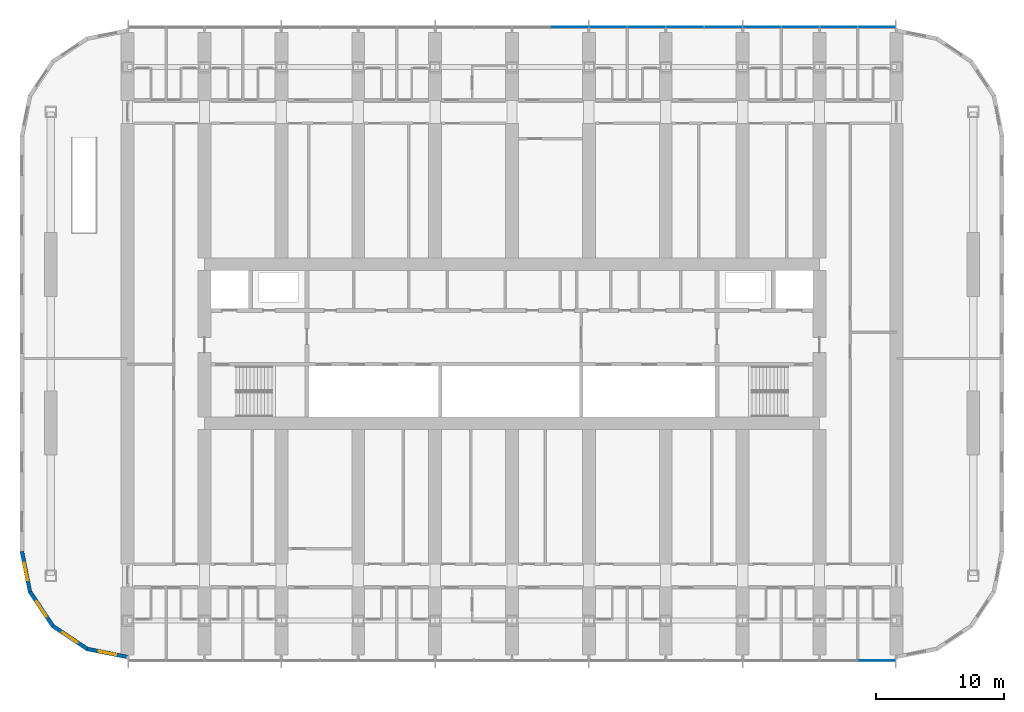
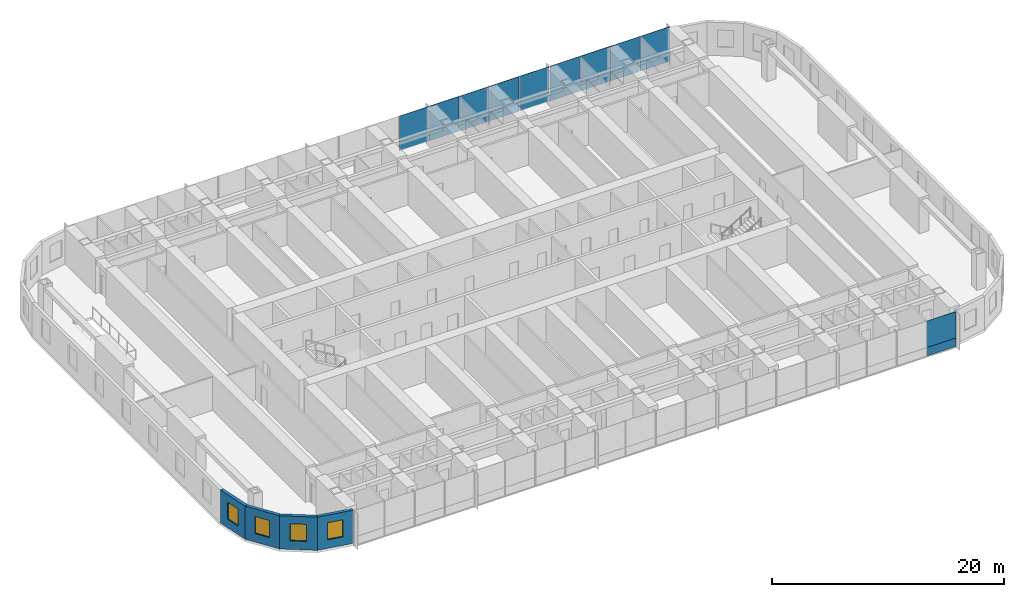
# One storey, part 9 of 24: 20 plates, 4 walls, 4 windows, 4 openings, 2 elements without a shape of their own.
"""IFC4 building model written with IfcOpenShell, lengths in metres."""

from ifc_helpers import new_model, si_unit, direction, frame, frame_2d, origin, origin_2d, place, context, subcontext, project, spatial, polyline, rectangle, outline, extrude, material, layer, layer_set, type_object, element, fill, aggregate, save


model = new_model("IFC4")

# Units and contexts
model_context = context("Model", 3, precision=1e-05, world=origin(), true_north=direction((0.0, 1.0)))
body_context = subcontext(model_context, "Body", "Model", "MODEL_VIEW")
ifc_project = project(units=[si_unit("LENGTHUNIT", "METRE"), si_unit("AREAUNIT", "SQUARE_METRE"), si_unit("VOLUMEUNIT", "CUBIC_METRE"), si_unit("PLANEANGLEUNIT", "RADIAN"), si_unit("MASSUNIT", "GRAM", prefix="KILO")], contexts=[model_context])

# Site, building, storey
site_placement = place(None, origin())
site = spatial("IfcSite", under=ifc_project, at=site_placement, CompositionType="ELEMENT")
building_placement = place(site_placement, origin())
building = spatial("IfcBuilding", under=site, at=building_placement, Name="Orbita Commons", CompositionType="ELEMENT")
storey_placement = place(building_placement, frame((0.0, 0.0, 27.699951171875)))
storey = spatial("IfcBuildingStorey", under=building, at=storey_placement, Name="L06", CompositionType="ELEMENT", Elevation=27.699951171875)

# Curtain wall, plate
ifc_material_1 = material(Name="Anodised aluminium frame, pale silver", Category="aluminium")
curtain_wall_type = type_object("IfcCurtainWallType", Name="Unitised curtain wall CW-T, vision and spandrel", PredefinedType="NOTDEFINED", material=ifc_material_1)
curtain_wall_1_placement = place(storey_placement, origin())
curtain_wall_1 = element("IfcCurtainWall", 1, at=curtain_wall_1_placement, inside=storey, type_object=curtain_wall_type, Name="Curtain wall south L06", PredefinedType="NOTDEFINED")
ifc_material_2 = material(Name="Anodised aluminium sheet on mineral wool", Category="aluminium")
ifc_layer_1 = layer(ifc_material_2, 0.050048828125)
ifc_layer_set_1 = layer_set([ifc_layer_1], Name="Anodised aluminium sheet on mineral wool")
plate_type_1 = type_object("IfcPlateType", Name="Spandrel panel, pale aluminium over insulation 50", PredefinedType="CURTAIN_PANEL", material=ifc_layer_set_1)
plate_1_placement = place(storey_placement, frame((70.47998046875, 7.2900390625, -0.14990234375), z_axis=(0.0, 0.0, 1.0), x_axis=(1.0, 0.0, 0.0)))
plate_1 = element("IfcPlate", 2, at=plate_1_placement, type_object=plate_type_1, Name="Panel 20.1 CW-L06-S", PredefinedType="CURTAIN_PANEL", context=body_context, shape_type="SweptSolid", body=[
    extrude(rectangle(XDim=2.8798828125, YDim=0.050048828125, at=origin_2d()), origin(), (0.0, 0.0, 1.0), 0.875),
])

# Curtain wall, plates
curtain_wall_2_placement = place(storey_placement, origin())
curtain_wall_2 = element("IfcCurtainWall", 3, at=curtain_wall_2_placement, inside=storey, type_object=curtain_wall_type, Name="Curtain wall north L06", PredefinedType="NOTDEFINED")
plate_2_placement = place(storey_placement, frame((70.47998046875, 56.7099609375, -0.14990234375), z_axis=(0.0, 0.0, 1.0), x_axis=(-1.0, 0.0, 0.0)))
plate_2 = element("IfcPlate", 4, at=plate_2_placement, type_object=plate_type_1, Name="Panel 1.1 CW-L06-N", PredefinedType="CURTAIN_PANEL", context=body_context, shape_type="SweptSolid", body=[
    extrude(rectangle(XDim=2.8798828125, YDim=0.050048828125, at=origin_2d()), origin(), (0.0, 0.0, 1.0), 0.875),
])
plate_3_placement = place(storey_placement, frame((67.5, 56.7099609375, -0.14990234375), z_axis=(0.0, 0.0, 1.0), x_axis=(-1.0, 0.0, 0.0)))
plate_3 = element("IfcPlate", 5, at=plate_3_placement, type_object=plate_type_1, Name="Panel 2.1 CW-L06-N", PredefinedType="CURTAIN_PANEL", context=body_context, shape_type="SweptSolid", body=[
    extrude(rectangle(XDim=2.919921875, YDim=0.050048828125, at=origin_2d()), origin(), (0.0, 0.0, 1.0), 0.875),
])
plate_4_placement = place(storey_placement, frame((64.5, 56.7099609375, -0.14990234375), z_axis=(0.0, 0.0, 1.0), x_axis=(-1.0, 0.0, 0.0)))
plate_4 = element("IfcPlate", 6, at=plate_4_placement, type_object=plate_type_1, Name="Panel 3.1 CW-L06-N", PredefinedType="CURTAIN_PANEL", context=body_context, shape_type="SweptSolid", body=[
    extrude(rectangle(XDim=2.919921875, YDim=0.050048828125, at=origin_2d()), origin(), (0.0, 0.0, 1.0), 0.875),
])
plate_5_placement = place(storey_placement, frame((61.5, 56.7099609375, -0.14990234375), z_axis=(0.0, 0.0, 1.0), x_axis=(-1.0, 0.0, 0.0)))
plate_5 = element("IfcPlate", 7, at=plate_5_placement, type_object=plate_type_1, Name="Panel 4.1 CW-L06-N", PredefinedType="CURTAIN_PANEL", context=body_context, shape_type="SweptSolid", body=[
    extrude(rectangle(XDim=2.919921875, YDim=0.050048828125, at=origin_2d()), origin(), (0.0, 0.0, 1.0), 0.875),
])
plate_6_placement = place(storey_placement, frame((58.5, 56.7099609375, -0.14990234375), z_axis=(0.0, 0.0, 1.0), x_axis=(-1.0, 0.0, 0.0)))
plate_6 = element("IfcPlate", 8, at=plate_6_placement, type_object=plate_type_1, Name="Panel 5.1 CW-L06-N", PredefinedType="CURTAIN_PANEL", context=body_context, shape_type="SweptSolid", body=[
    extrude(rectangle(XDim=2.919921875, YDim=0.050048828125, at=origin_2d()), origin(), (0.0, 0.0, 1.0), 0.875),
])
plate_7_placement = place(storey_placement, frame((55.5, 56.7099609375, -0.14990234375), z_axis=(0.0, 0.0, 1.0), x_axis=(-1.0, 0.0, 0.0)))
plate_7 = element("IfcPlate", 9, at=plate_7_placement, type_object=plate_type_1, Name="Panel 6.1 CW-L06-N", PredefinedType="CURTAIN_PANEL", context=body_context, shape_type="SweptSolid", body=[
    extrude(rectangle(XDim=2.919921875, YDim=0.050048828125, at=origin_2d()), origin(), (0.0, 0.0, 1.0), 0.875),
])
plate_8_placement = place(storey_placement, frame((52.5, 56.7099609375, -0.14990234375), z_axis=(0.0, 0.0, 1.0), x_axis=(-1.0, 0.0, 0.0)))
plate_8 = element("IfcPlate", 10, at=plate_8_placement, type_object=plate_type_1, Name="Panel 7.1 CW-L06-N", PredefinedType="CURTAIN_PANEL", context=body_context, shape_type="SweptSolid", body=[
    extrude(rectangle(XDim=2.919921875, YDim=0.050048828125, at=origin_2d()), origin(), (0.0, 0.0, 1.0), 0.875),
])
plate_9_placement = place(storey_placement, frame((49.5, 56.7099609375, -0.14990234375), z_axis=(0.0, 0.0, 1.0), x_axis=(-1.0, 0.0, 0.0)))
plate_9 = element("IfcPlate", 11, at=plate_9_placement, type_object=plate_type_1, Name="Panel 8.1 CW-L06-N", PredefinedType="CURTAIN_PANEL", context=body_context, shape_type="SweptSolid", body=[
    extrude(rectangle(XDim=2.919921875, YDim=0.050048828125, at=origin_2d()), origin(), (0.0, 0.0, 1.0), 0.875),
])
plate_10_placement = place(storey_placement, frame((46.5, 56.7099609375, -0.14990234375), z_axis=(0.0, 0.0, 1.0), x_axis=(-1.0, 0.0, 0.0)))
plate_10 = element("IfcPlate", 12, at=plate_10_placement, type_object=plate_type_1, Name="Panel 9.1 CW-L06-N", PredefinedType="CURTAIN_PANEL", context=body_context, shape_type="SweptSolid", body=[
    extrude(rectangle(XDim=2.919921875, YDim=0.050048828125, at=origin_2d()), origin(), (0.0, 0.0, 1.0), 0.875),
])

# Plate
ifc_material_3 = material(Name="Clear double glazing", Category="glass")
ifc_layer_2 = layer(ifc_material_3, 0.031982421875)
ifc_layer_set_2 = layer_set([ifc_layer_2], Name="Clear double glazing")
plate_type_2 = type_object("IfcPlateType", Name="Vision panel, clear double glazing 32", PredefinedType="CURTAIN_PANEL", material=ifc_layer_set_2)
plate_11_placement = place(storey_placement, frame((70.47998046875, 7.2900390625, 0.72509765625), z_axis=(0.0, 0.0, 1.0), x_axis=(1.0, 0.0, 0.0)))
plate_11 = element("IfcPlate", 13, at=plate_11_placement, type_object=plate_type_2, Name="Panel 20.2 CW-L06-S", PredefinedType="CURTAIN_PANEL", context=body_context, shape_type="SweptSolid", body=[
    extrude(rectangle(XDim=2.8798828125, YDim=0.031982421875, at=origin_2d()), origin(), (0.0, 0.0, 1.0), 2.77490234375),
])

aggregate(curtain_wall_1, [plate_1, plate_11])

plate_12_placement = place(storey_placement, frame((70.47998046875, 56.7099609375, 0.72509765625), z_axis=(0.0, 0.0, 1.0), x_axis=(-1.0, 0.0, 0.0)))
plate_12 = element("IfcPlate", 14, at=plate_12_placement, type_object=plate_type_2, Name="Panel 1.2 CW-L06-N", PredefinedType="CURTAIN_PANEL", context=body_context, shape_type="SweptSolid", body=[
    extrude(rectangle(XDim=2.8798828125, YDim=0.031982421875, at=origin_2d()), origin(), (0.0, 0.0, 1.0), 2.77490234375),
])

plate_13_placement = place(storey_placement, frame((67.5, 56.7099609375, 0.72509765625), z_axis=(0.0, 0.0, 1.0), x_axis=(-1.0, 0.0, 0.0)))
plate_13 = element("IfcPlate", 15, at=plate_13_placement, type_object=plate_type_2, Name="Panel 2.2 CW-L06-N", PredefinedType="CURTAIN_PANEL", context=body_context, shape_type="SweptSolid", body=[
    extrude(rectangle(XDim=2.919921875, YDim=0.031982421875, at=origin_2d()), origin(), (0.0, 0.0, 1.0), 2.77490234375),
])

plate_14_placement = place(storey_placement, frame((64.5, 56.7099609375, 0.72509765625), z_axis=(0.0, 0.0, 1.0), x_axis=(-1.0, 0.0, 0.0)))
plate_14 = element("IfcPlate", 16, at=plate_14_placement, type_object=plate_type_2, Name="Panel 3.2 CW-L06-N", PredefinedType="CURTAIN_PANEL", context=body_context, shape_type="SweptSolid", body=[
    extrude(rectangle(XDim=2.919921875, YDim=0.031982421875, at=origin_2d()), origin(), (0.0, 0.0, 1.0), 2.77490234375),
])

plate_15_placement = place(storey_placement, frame((61.5, 56.7099609375, 0.72509765625), z_axis=(0.0, 0.0, 1.0), x_axis=(-1.0, 0.0, 0.0)))
plate_15 = element("IfcPlate", 17, at=plate_15_placement, type_object=plate_type_2, Name="Panel 4.2 CW-L06-N", PredefinedType="CURTAIN_PANEL", context=body_context, shape_type="SweptSolid", body=[
    extrude(rectangle(XDim=2.919921875, YDim=0.031982421875, at=origin_2d()), origin(), (0.0, 0.0, 1.0), 2.77490234375),
])

plate_16_placement = place(storey_placement, frame((58.5, 56.7099609375, 0.72509765625), z_axis=(0.0, 0.0, 1.0), x_axis=(-1.0, 0.0, 0.0)))
plate_16 = element("IfcPlate", 18, at=plate_16_placement, type_object=plate_type_2, Name="Panel 5.2 CW-L06-N", PredefinedType="CURTAIN_PANEL", context=body_context, shape_type="SweptSolid", body=[
    extrude(rectangle(XDim=2.919921875, YDim=0.031982421875, at=origin_2d()), origin(), (0.0, 0.0, 1.0), 2.77490234375),
])

plate_17_placement = place(storey_placement, frame((55.5, 56.7099609375, 0.72509765625), z_axis=(0.0, 0.0, 1.0), x_axis=(-1.0, 0.0, 0.0)))
plate_17 = element("IfcPlate", 19, at=plate_17_placement, type_object=plate_type_2, Name="Panel 6.2 CW-L06-N", PredefinedType="CURTAIN_PANEL", context=body_context, shape_type="SweptSolid", body=[
    extrude(rectangle(XDim=2.919921875, YDim=0.031982421875, at=origin_2d()), origin(), (0.0, 0.0, 1.0), 2.77490234375),
])

plate_18_placement = place(storey_placement, frame((52.5, 56.7099609375, 0.72509765625), z_axis=(0.0, 0.0, 1.0), x_axis=(-1.0, 0.0, 0.0)))
plate_18 = element("IfcPlate", 20, at=plate_18_placement, type_object=plate_type_2, Name="Panel 7.2 CW-L06-N", PredefinedType="CURTAIN_PANEL", context=body_context, shape_type="SweptSolid", body=[
    extrude(rectangle(XDim=2.919921875, YDim=0.031982421875, at=origin_2d()), origin(), (0.0, 0.0, 1.0), 2.77490234375),
])

plate_19_placement = place(storey_placement, frame((49.5, 56.7099609375, 0.72509765625), z_axis=(0.0, 0.0, 1.0), x_axis=(-1.0, 0.0, 0.0)))
plate_19 = element("IfcPlate", 21, at=plate_19_placement, type_object=plate_type_2, Name="Panel 8.2 CW-L06-N", PredefinedType="CURTAIN_PANEL", context=body_context, shape_type="SweptSolid", body=[
    extrude(rectangle(XDim=2.919921875, YDim=0.031982421875, at=origin_2d()), origin(), (0.0, 0.0, 1.0), 2.77490234375),
])

plate_20_placement = place(storey_placement, frame((46.5, 56.7099609375, 0.72509765625), z_axis=(0.0, 0.0, 1.0), x_axis=(-1.0, 0.0, 0.0)))
plate_20 = element("IfcPlate", 22, at=plate_20_placement, type_object=plate_type_2, Name="Panel 9.2 CW-L06-N", PredefinedType="CURTAIN_PANEL", context=body_context, shape_type="SweptSolid", body=[
    extrude(rectangle(XDim=2.919921875, YDim=0.031982421875, at=origin_2d()), origin(), (0.0, 0.0, 1.0), 2.77490234375),
])

aggregate(curtain_wall_2, [plate_2, plate_12, plate_3, plate_13, plate_4, plate_14, plate_5, plate_15, plate_6, plate_16, plate_7, plate_17, plate_8, plate_18, plate_9, plate_19, plate_10, plate_20])

# Wall, opening, window
ifc_material_4 = material(Name="Precast concrete C40/50, white board-marked finish", Category="concrete")
ifc_layer_3 = layer(ifc_material_4, 0.300048828125)
ifc_layer_set_3 = layer_set([ifc_layer_3], Name="Precast concrete C40/50, white board-marked finish")
wall_type = type_object("IfcWallType", Name="Precast concrete end shield 300", PredefinedType="SOLIDWALL", material=ifc_layer_set_3)
wall_1_placement = place(storey_placement, frame((3.75, 15.800048828125, 0.0), z_axis=(0.0, 0.0, 1.0), x_axis=(0.195065901187, -0.980790137692, 0.0)))
wall_1 = element("IfcWall", 23, at=wall_1_placement, inside=storey, type_object=wall_type, Name="End shield SW chord 1 L06", PredefinedType="SOLIDWALL", context=body_context, shape_type="SweptSolid", body=[
    extrude(outline(polyline([(-0.014892578125, -0.14990234375), (3.248779296875, -0.14990234375), (3.189208984375, 0.14990234375), (0.014892578125, 0.14990234375), (-0.014892578125, -0.14990234375)])), origin(), (0.0, 0.0, 1.0), 3.5),
])
opening_1_placement = place(wall_1_placement, frame((0.909423828125, 0.0, 0.89990234375)))
opening_1 = element("IfcOpeningElement", 24, at=opening_1_placement, cuts=wall_1, Name="Opening W02", PredefinedType="OPENING", context=body_context, shape_type="SweptSolid", body=[
    extrude(rectangle(XDim=1.39990234375, YDim=1.800048828125, at=frame_2d((0.699951171875, 0.89990234375))), frame((0.0, 0.159912109375, 0.0), z_axis=(0.0, -1.0, 0.0), x_axis=(1.0, 0.0, 0.0)), (0.0, 0.0, 1.0), 0.320068359375),
])
ifc_material_5 = material(Name="Aluminium frame, clear double glazing", Category="aluminium")
window_type = type_object("IfcWindowType", Name="Deep-set window 1400x1800", PartitioningType="SINGLE_PANEL", PredefinedType="WINDOW", material=ifc_material_5)
window_1_placement = place(opening_1_placement, origin())
window_1 = element("IfcWindow", 25, at=window_1_placement, inside=storey, type_object=window_type, Name="Window L06-SW0", OverallHeight=1.800048828125, OverallWidth=1.39990234375, PartitioningType="SINGLE_PANEL", PredefinedType="WINDOW", context=body_context, shape_type="SweptSolid", body=[
    extrude(rectangle(XDim=1.39990234375, YDim=1.800048828125, at=frame_2d((0.699951171875, 0.89990234375))), frame((0.0, 0.030029296875, 0.0), z_axis=(0.0, -1.0, 0.0), x_axis=(1.0, 0.0, 0.0)), (0.0, 0.0, 1.0), 0.06005859375),
])
fill(opening_1, window_1)

wall_2_placement = place(storey_placement, frame((4.3779296875, 12.642822265625, 0.0), z_axis=(0.0, 0.0, 1.0), x_axis=(0.555609954424, -0.831443069936, 0.0)))
wall_2 = element("IfcWall", 26, at=wall_2_placement, inside=storey, type_object=wall_type, Name="End shield SW chord 2 L06", PredefinedType="SOLIDWALL", context=body_context, shape_type="SweptSolid", body=[
    extrude(outline(polyline([(-0.02978515625, -0.14990234375), (3.2490234375, -0.14990234375), (3.189453125, 0.14990234375), (0.02978515625, 0.14990234375), (-0.02978515625, -0.14990234375)])), origin(), (0.0, 0.0, 1.0), 3.5),
])
opening_2_placement = place(wall_2_placement, frame((0.909423828125, 0.0, 0.89990234375)))
opening_2 = element("IfcOpeningElement", 27, at=opening_2_placement, cuts=wall_2, Name="Opening W02", PredefinedType="OPENING", context=body_context, shape_type="SweptSolid", body=[
    extrude(rectangle(XDim=1.39990234375, YDim=1.800048828125, at=frame_2d((0.699951171875, 0.89990234375))), frame((0.0, 0.159912109375, 0.0), z_axis=(0.0, -1.0, 0.0), x_axis=(1.0, 0.0, 0.0)), (0.0, 0.0, 1.0), 0.320068359375),
])
window_2_placement = place(opening_2_placement, origin())
window_2 = element("IfcWindow", 28, at=window_2_placement, inside=storey, type_object=window_type, Name="Window L06-SW1", OverallHeight=1.800048828125, OverallWidth=1.39990234375, PartitioningType="SINGLE_PANEL", PredefinedType="WINDOW", context=body_context, shape_type="SweptSolid", body=[
    extrude(rectangle(XDim=1.39990234375, YDim=1.800048828125, at=frame_2d((0.699951171875, 0.89990234375))), frame((0.0, 0.030029296875, 0.0), z_axis=(0.0, -1.0, 0.0), x_axis=(1.0, 0.0, 0.0)), (0.0, 0.0, 1.0), 0.06005859375),
])
fill(opening_2, window_2)

wall_3_placement = place(storey_placement, frame((6.16650390625, 9.96630859375, 0.0), z_axis=(0.0, 0.0, 1.0), x_axis=(0.831478105043, -0.555557522525, 0.0)))
wall_3 = element("IfcWall", 29, at=wall_3_placement, inside=storey, type_object=wall_type, Name="End shield SW chord 3 L06", PredefinedType="SOLIDWALL", context=body_context, shape_type="SweptSolid", body=[
    extrude(outline(polyline([(-0.02978515625, -0.14990234375), (3.248779296875, -0.14990234375), (3.189208984375, 0.14990234375), (0.02978515625, 0.14990234375), (-0.02978515625, -0.14990234375)])), origin(), (0.0, 0.0, 1.0), 3.5),
])
opening_3_placement = place(wall_3_placement, frame((0.909423828125, 0.0, 0.89990234375)))
opening_3 = element("IfcOpeningElement", 30, at=opening_3_placement, cuts=wall_3, Name="Opening W02", PredefinedType="OPENING", context=body_context, shape_type="SweptSolid", body=[
    extrude(rectangle(XDim=1.39990234375, YDim=1.800048828125, at=frame_2d((0.699951171875, 0.89990234375))), frame((0.0, 0.159912109375, 0.0), z_axis=(0.0, -1.0, 0.0), x_axis=(1.0, 0.0, 0.0)), (0.0, 0.0, 1.0), 0.320068359375),
])
window_3_placement = place(opening_3_placement, origin())
window_3 = element("IfcWindow", 31, at=window_3_placement, inside=storey, type_object=window_type, Name="Window L06-SW2", OverallHeight=1.800048828125, OverallWidth=1.39990234375, PartitioningType="SINGLE_PANEL", PredefinedType="WINDOW", context=body_context, shape_type="SweptSolid", body=[
    extrude(rectangle(XDim=1.39990234375, YDim=1.800048828125, at=frame_2d((0.699951171875, 0.89990234375))), frame((0.0, 0.030029296875, 0.0), z_axis=(0.0, -1.0, 0.0), x_axis=(1.0, 0.0, 0.0)), (0.0, 0.0, 1.0), 0.06005859375),
])
fill(opening_3, window_3)

wall_4_placement = place(storey_placement, frame((8.843017578125, 8.177978515625, 0.0), z_axis=(0.0, 0.0, 1.0), x_axis=(0.980787251524, -0.195080412259, 0.0)))
wall_4 = element("IfcWall", 32, at=wall_4_placement, inside=storey, type_object=wall_type, Name="End shield SW chord 4 L06", PredefinedType="SOLIDWALL", context=body_context, shape_type="SweptSolid", body=[
    extrude(outline(polyline([(-0.02978515625, -0.14990234375), (3.24853515625, -0.14990234375), (3.18896484375, 0.14990234375), (0.02978515625, 0.14990234375), (-0.02978515625, -0.14990234375)])), origin(), (0.0, 0.0, 1.0), 3.5),
])
opening_4_placement = place(wall_4_placement, frame((0.909423828125, 0.0, 0.89990234375)))
opening_4 = element("IfcOpeningElement", 33, at=opening_4_placement, cuts=wall_4, Name="Opening W02", PredefinedType="OPENING", context=body_context, shape_type="SweptSolid", body=[
    extrude(rectangle(XDim=1.39990234375, YDim=1.800048828125, at=frame_2d((0.699951171875, 0.89990234375))), frame((0.0, 0.159912109375, 0.0), z_axis=(0.0, -1.0, 0.0), x_axis=(1.0, 0.0, 0.0)), (0.0, 0.0, 1.0), 0.320068359375),
])
window_4_placement = place(opening_4_placement, origin())
window_4 = element("IfcWindow", 34, at=window_4_placement, inside=storey, type_object=window_type, Name="Window L06-SW3", OverallHeight=1.800048828125, OverallWidth=1.39990234375, PartitioningType="SINGLE_PANEL", PredefinedType="WINDOW", context=body_context, shape_type="SweptSolid", body=[
    extrude(rectangle(XDim=1.39990234375, YDim=1.800048828125, at=frame_2d((0.699951171875, 0.89990234375))), frame((0.0, 0.030029296875, 0.0), z_axis=(0.0, -1.0, 0.0), x_axis=(1.0, 0.0, 0.0)), (0.0, 0.0, 1.0), 0.06005859375),
])
fill(opening_4, window_4)

save(model, "model.ifc")
